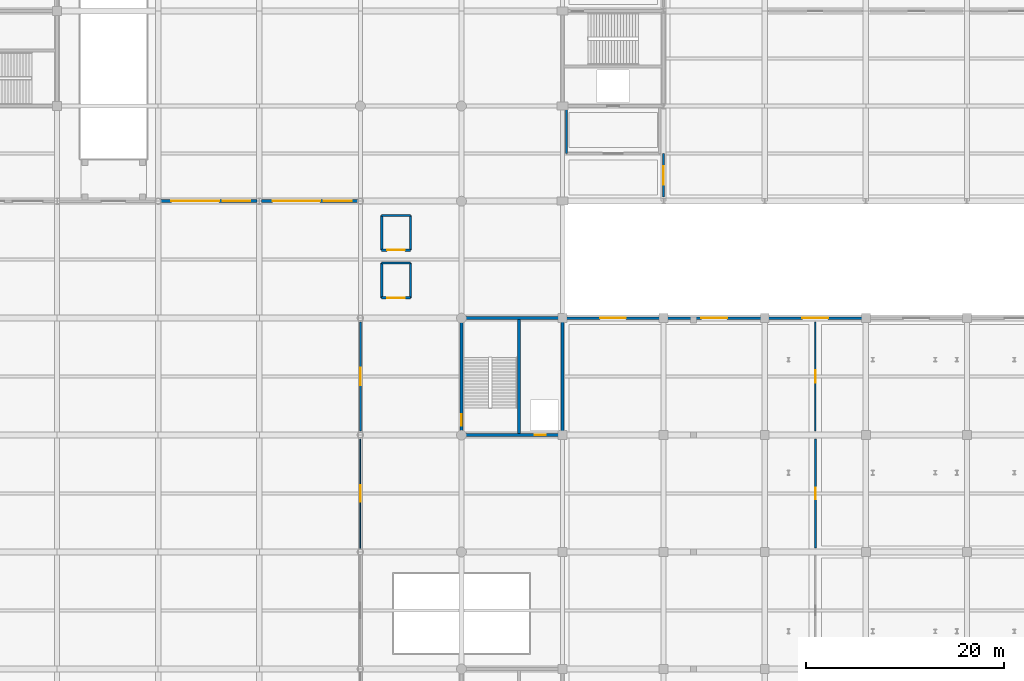
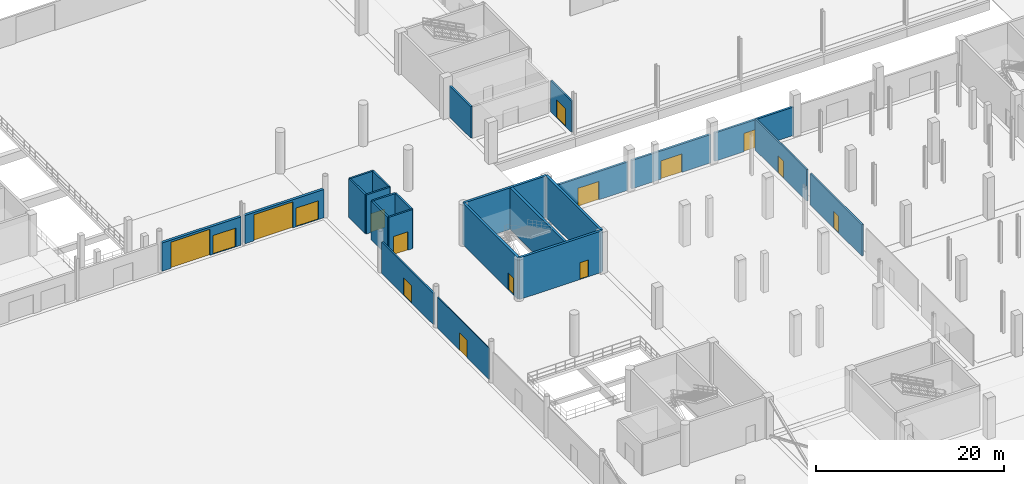
# One storey, part 94 of 124: 24 walls, 16 doors, 16 openings.
"""IFC4 building model written with IfcOpenShell, lengths in metres."""

from ifc_helpers import new_model, si_unit, direction, frame, frame_2d, origin, place, context, subcontext, project, spatial, rectangle, extrude, material, layer, layer_set, type_object, element, fill, save


model = new_model("IFC4")

# Units and contexts
model_context = context("Model", 3, precision=1e-05, world=origin(), true_north=direction((0.0, 1.0)))
body_context = subcontext(model_context, "Body", "Model", "MODEL_VIEW")
ifc_project = project(units=[si_unit("LENGTHUNIT", "METRE"), si_unit("AREAUNIT", "SQUARE_METRE"), si_unit("VOLUMEUNIT", "CUBIC_METRE"), si_unit("PLANEANGLEUNIT", "RADIAN"), si_unit("MASSUNIT", "GRAM", prefix="KILO")], contexts=[model_context])

# Site, building, storey
site_placement = place(None, origin())
site = spatial("IfcSite", under=ifc_project, at=site_placement, CompositionType="ELEMENT")
building_placement = place(site_placement, origin())
building = spatial("IfcBuilding", under=site, at=building_placement, Name="Brelvane Convention Centre", CompositionType="ELEMENT")
storey_placement = place(building_placement, origin())
storey = spatial("IfcBuildingStorey", under=building, at=storey_placement, Name="L00", CompositionType="ELEMENT", Elevation=0.0)

# Wall, opening, door
ifc_material_1 = material(Name="Insulated Autoclaved Aerated Concrete Block Grade 1", Category="concrete")
ifc_layer_1 = layer(ifc_material_1, 0.260009765625)
ifc_layer_set_1 = layer_set([ifc_layer_1], Name="Insulated Autoclaved Aerated Concrete Block Grade 1")
wall_type_1 = type_object("IfcWallType", Name="Exterior Wall EW-02", PredefinedType="STANDARD", material=ifc_layer_set_1)
wall_1_placement = place(storey_placement, frame((163.43994140625, 87.800048828125, 0.0), z_axis=(0.0, 0.0, 1.0), x_axis=(1.0, 0.0, 0.0)))
wall_1 = element("IfcWall", 1, at=wall_1_placement, inside=storey, type_object=wall_type_1, Name="Exterior Wall L00 V2N-L00-1", PredefinedType="STANDARD", context=body_context, shape_type="SweptSolid", body=[
    extrude(rectangle(XDim=9.719970703125, YDim=0.260009765625, at=frame_2d((4.85986328125, 0.0))), origin(), (0.0, 0.0, 1.0), 3.679931640625),
])
opening_1_placement = place(wall_1_placement, frame((3.56005859375, 0.0, 0.0)))
opening_1 = element("IfcOpeningElement", 2, at=opening_1_placement, cuts=wall_1, Name="Opening DR-EX-03", PredefinedType="OPENING", context=body_context, shape_type="SweptSolid", body=[
    extrude(rectangle(XDim=2.60009765625, YDim=2.39990234375, at=frame_2d((1.300048828125, 1.199951171875))), frame((0.0, 0.139892578125, 0.0), z_axis=(0.0, -1.0, 0.0), x_axis=(1.0, 0.0, 0.0)), (0.0, 0.0, 1.0), 0.280029296875),
])
ifc_material_2 = material(Name="Anodised Aluminium Alloy 6063-T6", Category="aluminium")
door_type_1 = type_object("IfcDoorType", Name="Exterior Door DR-EX-03", OperationType="NOTDEFINED", PredefinedType="DOOR", material=ifc_material_2)
door_1_placement = place(opening_1_placement, origin())
door_1 = element("IfcDoor", 3, at=door_1_placement, inside=storey, type_object=door_type_1, Name="Final Exit Door PLEN-N1 (DR-EX-03)", OperationType="DOUBLE_DOOR_SINGLE_SWING", OverallHeight=2.39990234375, OverallWidth=2.60009765625, PredefinedType="DOOR", context=body_context, shape_type="SweptSolid", body=[
    extrude(rectangle(XDim=2.60009765625, YDim=2.39990234375, at=frame_2d((1.300048828125, 1.199951171875))), frame((0.0, 0.02490234375, 0.0), z_axis=(0.0, -1.0, 0.0), x_axis=(1.0, 0.0, 0.0)), (0.0, 0.0, 1.0), 0.050048828125),
])
fill(opening_1, door_1)

wall_2_placement = place(storey_placement, frame((173.639892578125, 87.800048828125, 0.0), z_axis=(0.0, 0.0, 1.0), x_axis=(1.0, 0.0, 0.0)))
wall_2 = element("IfcWall", 4, at=wall_2_placement, inside=storey, type_object=wall_type_1, Name="Exterior Wall L00 V2N-L00-2", PredefinedType="STANDARD", context=body_context, shape_type="SweptSolid", body=[
    extrude(rectangle(XDim=9.72021484375, YDim=0.260009765625, at=frame_2d((4.860107421875, 0.0))), origin(), (0.0, 0.0, 1.0), 3.679931640625),
])
opening_2_placement = place(wall_2_placement, frame((3.56005859375, 0.0, 0.0)))
opening_2 = element("IfcOpeningElement", 5, at=opening_2_placement, cuts=wall_2, Name="Opening DR-EX-03", PredefinedType="OPENING", context=body_context, shape_type="SweptSolid", body=[
    extrude(rectangle(XDim=2.60009765625, YDim=2.39990234375, at=frame_2d((1.300048828125, 1.199951171875))), frame((0.0, 0.139892578125, 0.0), z_axis=(0.0, -1.0, 0.0), x_axis=(1.0, 0.0, 0.0)), (0.0, 0.0, 1.0), 0.280029296875),
])
door_2_placement = place(opening_2_placement, origin())
door_2 = element("IfcDoor", 6, at=door_2_placement, inside=storey, type_object=door_type_1, Name="Final Exit Door PLEN-N2 (DR-EX-03)", OperationType="DOUBLE_DOOR_SINGLE_SWING", OverallHeight=2.39990234375, OverallWidth=2.60009765625, PredefinedType="DOOR", context=body_context, shape_type="SweptSolid", body=[
    extrude(rectangle(XDim=2.60009765625, YDim=2.39990234375, at=frame_2d((1.300048828125, 1.199951171875))), frame((0.0, 0.02490234375, 0.0), z_axis=(0.0, -1.0, 0.0), x_axis=(1.0, 0.0, 0.0)), (0.0, 0.0, 1.0), 0.050048828125),
])
fill(opening_2, door_2)

wall_3_placement = place(storey_placement, frame((183.840087890625, 87.800048828125, 0.0), z_axis=(0.0, 0.0, 1.0), x_axis=(1.0, 0.0, 0.0)))
wall_3 = element("IfcWall", 7, at=wall_3_placement, inside=storey, type_object=wall_type_1, Name="Exterior Wall L00 V2N-L00-3", PredefinedType="STANDARD", context=body_context, shape_type="SweptSolid", body=[
    extrude(rectangle(XDim=9.719970703125, YDim=0.260009765625, at=frame_2d((4.85986328125, 0.0))), origin(), (0.0, 0.0, 1.0), 3.679931640625),
])
opening_3_placement = place(wall_3_placement, frame((3.56005859375, 0.0, 0.0)))
opening_3 = element("IfcOpeningElement", 8, at=opening_3_placement, cuts=wall_3, Name="Opening DR-EX-03", PredefinedType="OPENING", context=body_context, shape_type="SweptSolid", body=[
    extrude(rectangle(XDim=2.60009765625, YDim=2.39990234375, at=frame_2d((1.300048828125, 1.199951171875))), frame((0.0, 0.139892578125, 0.0), z_axis=(0.0, -1.0, 0.0), x_axis=(1.0, 0.0, 0.0)), (0.0, 0.0, 1.0), 0.280029296875),
])
door_3_placement = place(opening_3_placement, origin())
door_3 = element("IfcDoor", 9, at=door_3_placement, inside=storey, type_object=door_type_1, Name="Final Exit Door PLEN-N3 (DR-EX-03)", OperationType="DOUBLE_DOOR_SINGLE_SWING", OverallHeight=2.39990234375, OverallWidth=2.60009765625, PredefinedType="DOOR", context=body_context, shape_type="SweptSolid", body=[
    extrude(rectangle(XDim=2.60009765625, YDim=2.39990234375, at=frame_2d((1.300048828125, 1.199951171875))), frame((0.0, 0.02490234375, 0.0), z_axis=(0.0, -1.0, 0.0), x_axis=(1.0, 0.0, 0.0)), (0.0, 0.0, 1.0), 0.050048828125),
])
fill(opening_3, door_3)

# Wall, openings, doors
ifc_material_3 = material(Name="Concrete M40", Category="concrete")
ifc_layer_2 = layer(ifc_material_3, 0.320068359375)
ifc_layer_set_2 = layer_set([ifc_layer_2], Name="Concrete M40")
wall_type_2 = type_object("IfcWallType", Name="Exterior Wall EW-07", PredefinedType="SOLIDWALL", material=ifc_layer_set_2)
wall_4_placement = place(storey_placement, frame((122.639892578125, 99.60009765625, 0.0), z_axis=(0.0, 0.0, 1.0), x_axis=(1.0, 0.0, 0.0)))
wall_4 = element("IfcWall", 10, at=wall_4_placement, inside=storey, type_object=wall_type_2, Name="Exterior Wall L00 V1N-L00-13", PredefinedType="SOLIDWALL", context=body_context, shape_type="SweptSolid", body=[
    extrude(rectangle(XDim=9.72021484375, YDim=0.320068359375, at=frame_2d((4.860107421875, 0.0))), origin(), (0.0, 0.0, 1.0), 3.679931640625),
])
opening_4_placement = place(wall_4_placement, frame((1.09912109375, 0.0, 0.0)))
opening_4 = element("IfcOpeningElement", 11, at=opening_4_placement, cuts=wall_4, Name="Opening DR-VG-01", PredefinedType="OPENING", context=body_context, shape_type="SweptSolid", body=[
    extrude(rectangle(XDim=4.800048828125, YDim=3.39990234375, at=frame_2d((2.39990234375, 1.699951171875))), frame((0.0, 0.169921875, 0.0), z_axis=(0.0, -1.0, 0.0), x_axis=(1.0, 0.0, 0.0)), (0.0, 0.0, 1.0), 0.340087890625),
])
opening_5_placement = place(wall_4_placement, frame((6.27001953125, 0.0, 0.0)))
opening_5 = element("IfcOpeningElement", 12, at=opening_5_placement, cuts=wall_4, Name="Opening DR-EX-02", PredefinedType="OPENING", context=body_context, shape_type="SweptSolid", body=[
    extrude(rectangle(XDim=2.800048828125, YDim=2.449951171875, at=frame_2d((1.39990234375, 1.22509765625))), frame((0.0, 0.169921875, 0.0), z_axis=(0.0, -1.0, 0.0), x_axis=(1.0, 0.0, 0.0)), (0.0, 0.0, 1.0), 0.340087890625),
])
ifc_material_4 = material(Name="Anodised Aluminium Alloy 6063-T6", Category="aluminium")
door_type_2 = type_object("IfcDoorType", Name="Exterior Door DR-EX-02", OperationType="NOTDEFINED", PredefinedType="DOOR", material=ifc_material_4)
door_4_placement = place(opening_5_placement, origin())
door_4 = element("IfcDoor", 13, at=door_4_placement, inside=storey, type_object=door_type_2, Name="Final Exit Door EXH-N13 (DR-EX-02)", OperationType="DOUBLE_DOOR_SINGLE_SWING", OverallHeight=2.449951171875, OverallWidth=2.800048828125, PredefinedType="DOOR", context=body_context, shape_type="SweptSolid", body=[
    extrude(rectangle(XDim=2.800048828125, YDim=2.449951171875, at=frame_2d((1.39990234375, 1.22509765625))), frame((0.0, 0.02490234375, 0.0), z_axis=(0.0, -1.0, 0.0), x_axis=(1.0, 0.0, 0.0)), (0.0, 0.0, 1.0), 0.050048828125),
])
fill(opening_5, door_4)
ifc_material_5 = material(Name="Steel E350 (350 MPa)", Category="steel")
door_type_3 = type_object("IfcDoorType", Name="Exterior Gate DR-VG-01", OperationType="NOTDEFINED", PredefinedType="GATE", material=ifc_material_5)
door_5_placement = place(opening_4_placement, origin())
door_5 = element("IfcDoor", 14, at=door_5_placement, inside=storey, type_object=door_type_3, Name="Final Exit Door EXH-TRUCK-1 (DR-VG-01)", OperationType="ROLLINGUP", OverallHeight=3.39990234375, OverallWidth=4.800048828125, PredefinedType="GATE", context=body_context, shape_type="SweptSolid", body=[
    extrude(rectangle(XDim=4.800048828125, YDim=3.39990234375, at=frame_2d((2.39990234375, 1.699951171875))), frame((0.0, 0.02490234375, 0.0), z_axis=(0.0, -1.0, 0.0), x_axis=(1.0, 0.0, 0.0)), (0.0, 0.0, 1.0), 0.050048828125),
])
fill(opening_4, door_5)

wall_5_placement = place(storey_placement, frame((132.840087890625, 99.60009765625, 0.0), z_axis=(0.0, 0.0, 1.0), x_axis=(1.0, 0.0, 0.0)))
wall_5 = element("IfcWall", 15, at=wall_5_placement, inside=storey, type_object=wall_type_2, Name="Exterior Wall L00 V1N-L00-14", PredefinedType="SOLIDWALL", context=body_context, shape_type="SweptSolid", body=[
    extrude(rectangle(XDim=9.719970703125, YDim=0.320068359375, at=frame_2d((4.85986328125, 0.0))), origin(), (0.0, 0.0, 1.0), 3.679931640625),
])
opening_6_placement = place(wall_5_placement, frame((1.09912109375, 0.0, 0.0)))
opening_6 = element("IfcOpeningElement", 16, at=opening_6_placement, cuts=wall_5, Name="Opening DR-VG-01", PredefinedType="OPENING", context=body_context, shape_type="SweptSolid", body=[
    extrude(rectangle(XDim=4.800048828125, YDim=3.39990234375, at=frame_2d((2.39990234375, 1.699951171875))), frame((0.0, 0.169921875, 0.0), z_axis=(0.0, -1.0, 0.0), x_axis=(1.0, 0.0, 0.0)), (0.0, 0.0, 1.0), 0.340087890625),
])
opening_7_placement = place(wall_5_placement, frame((6.27001953125, 0.0, 0.0)))
opening_7 = element("IfcOpeningElement", 17, at=opening_7_placement, cuts=wall_5, Name="Opening DR-EX-02", PredefinedType="OPENING", context=body_context, shape_type="SweptSolid", body=[
    extrude(rectangle(XDim=2.800048828125, YDim=2.449951171875, at=frame_2d((1.39990234375, 1.22509765625))), frame((0.0, 0.169921875, 0.0), z_axis=(0.0, -1.0, 0.0), x_axis=(1.0, 0.0, 0.0)), (0.0, 0.0, 1.0), 0.340087890625),
])
door_6_placement = place(opening_7_placement, origin())
door_6 = element("IfcDoor", 18, at=door_6_placement, inside=storey, type_object=door_type_2, Name="Final Exit Door EXH-N14 (DR-EX-02)", OperationType="DOUBLE_DOOR_SINGLE_SWING", OverallHeight=2.449951171875, OverallWidth=2.800048828125, PredefinedType="DOOR", context=body_context, shape_type="SweptSolid", body=[
    extrude(rectangle(XDim=2.800048828125, YDim=2.449951171875, at=frame_2d((1.39990234375, 1.22509765625))), frame((0.0, 0.02490234375, 0.0), z_axis=(0.0, -1.0, 0.0), x_axis=(1.0, 0.0, 0.0)), (0.0, 0.0, 1.0), 0.050048828125),
])
fill(opening_7, door_6)
door_7_placement = place(opening_6_placement, origin())
door_7 = element("IfcDoor", 19, at=door_7_placement, inside=storey, type_object=door_type_3, Name="Final Exit Door EXH-TRUCK-2 (DR-VG-01)", OperationType="ROLLINGUP", OverallHeight=3.39990234375, OverallWidth=4.800048828125, PredefinedType="GATE", context=body_context, shape_type="SweptSolid", body=[
    extrude(rectangle(XDim=4.800048828125, YDim=3.39990234375, at=frame_2d((2.39990234375, 1.699951171875))), frame((0.0, 0.02490234375, 0.0), z_axis=(0.0, -1.0, 0.0), x_axis=(1.0, 0.0, 0.0)), (0.0, 0.0, 1.0), 0.050048828125),
])
fill(opening_6, door_7)

# Wall, opening, door
ifc_material_6 = material(Name="Fire-Rated Acoustic Gypsum Partition Board Grade A")
ifc_layer_3 = layer(ifc_material_6, 0.18505859375)
ifc_layer_set_3 = layer_set([ifc_layer_3], Name="Fire-Rated Acoustic Gypsum Partition Board Grade A")
wall_type_3 = type_object("IfcWallType", Name="Interior Wall IW-AC-185", PredefinedType="PARTITIONING", material=ifc_layer_set_3)
wall_6_placement = place(storey_placement, frame((173.39990234375, 100.0, 0.0), z_axis=(0.0, 0.0, 1.0), x_axis=(0.0, 1.0, 0.0)))
wall_6 = element("IfcWall", 20, at=wall_6_placement, inside=storey, type_object=wall_type_3, Name="Interior Partition L00-BALL-W1", PredefinedType="PARTITIONING", context=body_context, shape_type="SweptSolid", body=[
    extrude(rectangle(XDim=4.39990234375, YDim=0.18505859375, at=frame_2d((2.199951171875, 0.0))), origin(), (0.0, 0.0, 1.0), 4.080078125),
])
opening_8_placement = place(wall_6_placement, frame((1.27490234375, 0.0, 0.0)))
opening_8 = element("IfcOpeningElement", 21, at=opening_8_placement, cuts=wall_6, Name="Opening DR-IN-19", PredefinedType="OPENING", context=body_context, shape_type="SweptSolid", body=[
    extrude(rectangle(XDim=1.85009765625, YDim=2.320068359375, at=frame_2d((0.925048828125, 1.16015625))), frame((0.0, 0.1025390625, 0.0), z_axis=(0.0, -1.0, 0.0), x_axis=(1.0, 0.0, 0.0)), (0.0, 0.0, 1.0), 0.205078125),
])
ifc_material_7 = material(Name="Solid-Core Fire-Rated Hardwood Leaf Grade 1", Category="wood")
door_type_4 = type_object("IfcDoorType", Name="Interior Door DR-IN-19", OperationType="NOTDEFINED", PredefinedType="DOOR", material=ifc_material_7)
door_8_placement = place(opening_8_placement, origin())
door_8 = element("IfcDoor", 22, at=door_8_placement, inside=storey, type_object=door_type_4, Name="Interior Door L00-BALL-W1 (DR-IN-19)", OperationType="DOUBLE_DOOR_SINGLE_SWING", OverallHeight=2.320068359375, OverallWidth=1.85009765625, PredefinedType="DOOR", context=body_context, shape_type="SweptSolid", body=[
    extrude(rectangle(XDim=1.85009765625, YDim=2.320068359375, at=frame_2d((0.925048828125, 1.16015625))), frame((0.0, 0.02490234375, 0.0), z_axis=(0.0, -1.0, 0.0), x_axis=(1.0, 0.0, 0.0)), (0.0, 0.0, 1.0), 0.050048828125),
])
fill(opening_8, door_8)

wall_7_placement = place(storey_placement, frame((188.699951171875, 76.39990234375, 0.0), z_axis=(0.0, 0.0, 1.0), x_axis=(0.0, 1.0, 0.0)))
wall_7 = element("IfcWall", 23, at=wall_7_placement, inside=storey, type_object=wall_type_3, Name="Interior Partition L00-SPK-2", PredefinedType="PARTITIONING", context=body_context, shape_type="SweptSolid", body=[
    extrude(rectangle(XDim=11.0, YDim=0.18505859375, at=frame_2d((5.5, 0.0))), origin(), (0.0, 0.0, 1.0), 4.080078125),
])
opening_9_placement = place(wall_7_placement, frame((4.8798828125, 0.0, 0.0)))
opening_9 = element("IfcOpeningElement", 24, at=opening_9_placement, cuts=wall_7, Name="Opening DR-IN-04R", PredefinedType="OPENING", context=body_context, shape_type="SweptSolid", body=[
    extrude(rectangle(XDim=1.239990234375, YDim=2.199951171875, at=frame_2d((0.6201171875, 1.10009765625))), frame((0.0, 0.1025390625, 0.0), z_axis=(0.0, -1.0, 0.0), x_axis=(1.0, 0.0, 0.0)), (0.0, 0.0, 1.0), 0.205078125),
])
ifc_material_8 = material(Name="Galvanised Hollow-Metal Fire Door Steel E250", Category="steel")
door_type_5 = type_object("IfcDoorType", Name="Interior Door DR-IN-04R", OperationType="NOTDEFINED", PredefinedType="DOOR", material=ifc_material_8)
door_9_placement = place(opening_9_placement, origin())
door_9 = element("IfcDoor", 25, at=door_9_placement, inside=storey, type_object=door_type_5, Name="Interior Door L00-SPK-2 (DR-IN-04R)", OperationType="SINGLE_SWING_RIGHT", OverallHeight=2.199951171875, OverallWidth=1.239990234375, PredefinedType="DOOR", context=body_context, shape_type="SweptSolid", body=[
    extrude(rectangle(XDim=1.239990234375, YDim=2.199951171875, at=frame_2d((0.6201171875, 1.10009765625))), frame((0.0, 0.02490234375, 0.0), z_axis=(0.0, -1.0, 0.0), x_axis=(1.0, 0.0, 0.0)), (0.0, 0.0, 1.0), 0.050048828125),
])
fill(opening_9, door_9)

ifc_material_9 = material(Name="Fire-Rated Acoustic Gypsum Partition Board Grade A")
ifc_layer_4 = layer(ifc_material_9, 0.199951171875)
ifc_layer_set_4 = layer_set([ifc_layer_4], Name="Fire-Rated Acoustic Gypsum Partition Board Grade A")
wall_type_4 = type_object("IfcWallType", Name="Interior Wall IW-FR-200", PredefinedType="PARTITIONING", material=ifc_layer_set_4)
wall_8_placement = place(storey_placement, frame((142.800048828125, 76.39990234375, 0.0), z_axis=(0.0, 0.0, 1.0), x_axis=(0.0, 1.0, 0.0)))
wall_8 = element("IfcWall", 26, at=wall_8_placement, inside=storey, type_object=wall_type_4, Name="Interior Partition L00-EXH-E5", PredefinedType="PARTITIONING", context=body_context, shape_type="SweptSolid", body=[
    extrude(rectangle(XDim=11.0, YDim=0.199951171875, at=frame_2d((5.5, 0.0))), origin(), (0.0, 0.0, 1.0), 4.080078125),
])
opening_10_placement = place(wall_8_placement, frame((4.625, 0.0, 0.0)))
opening_10 = element("IfcOpeningElement", 27, at=opening_10_placement, cuts=wall_8, Name="Opening DR-IN-18", PredefinedType="OPENING", context=body_context, shape_type="SweptSolid", body=[
    extrude(rectangle(XDim=1.75, YDim=2.280029296875, at=frame_2d((0.875, 1.14013671875))), frame((0.0, 0.10986328125, 0.0), z_axis=(0.0, -1.0, 0.0), x_axis=(1.0, 0.0, 0.0)), (0.0, 0.0, 1.0), 0.219970703125),
])
ifc_material_10 = material(Name="Solid-Core Fire-Rated Hardwood Leaf Grade 1", Category="wood")
door_type_6 = type_object("IfcDoorType", Name="Interior Door DR-IN-18", OperationType="NOTDEFINED", PredefinedType="DOOR", material=ifc_material_10)
door_10_placement = place(opening_10_placement, origin())
door_10 = element("IfcDoor", 28, at=door_10_placement, inside=storey, type_object=door_type_6, Name="Interior Door L00-EXH-E5 (DR-IN-18)", OperationType="DOUBLE_DOOR_SINGLE_SWING", OverallHeight=2.280029296875, OverallWidth=1.75, PredefinedType="DOOR", context=body_context, shape_type="SweptSolid", body=[
    extrude(rectangle(XDim=1.75, YDim=2.280029296875, at=frame_2d((0.875, 1.14013671875))), frame((0.0, 0.02490234375, 0.0), z_axis=(0.0, -1.0, 0.0), x_axis=(1.0, 0.0, 0.0)), (0.0, 0.0, 1.0), 0.050048828125),
])
fill(opening_10, door_10)

wall_9_placement = place(storey_placement, frame((188.699951171875, 64.60009765625, 0.0), z_axis=(0.0, 0.0, 1.0), x_axis=(0.0, 1.0, 0.0)))
wall_9 = element("IfcWall", 29, at=wall_9_placement, inside=storey, type_object=wall_type_4, Name="Interior Partition L00-SPK-1", PredefinedType="PARTITIONING", context=body_context, shape_type="SweptSolid", body=[
    extrude(rectangle(XDim=11.0, YDim=0.199951171875, at=frame_2d((5.5, 0.0))), origin(), (0.0, 0.0, 1.0), 4.080078125),
])
opening_11_placement = place(wall_9_placement, frame((4.919921875, 0.0, 0.0)))
opening_11 = element("IfcOpeningElement", 30, at=opening_11_placement, cuts=wall_9, Name="Opening DR-IN-04L", PredefinedType="OPENING", context=body_context, shape_type="SweptSolid", body=[
    extrude(rectangle(XDim=1.159912109375, YDim=2.199951171875, at=frame_2d((0.580078125, 1.10009765625))), frame((0.0, 0.10986328125, 0.0), z_axis=(0.0, -1.0, 0.0), x_axis=(1.0, 0.0, 0.0)), (0.0, 0.0, 1.0), 0.219970703125),
])
ifc_material_11 = material(Name="Galvanised Hollow-Metal Fire Door Steel E250", Category="steel")
door_type_7 = type_object("IfcDoorType", Name="Interior Door DR-IN-04L", OperationType="NOTDEFINED", PredefinedType="DOOR", material=ifc_material_11)
door_11_placement = place(opening_11_placement, origin())
door_11 = element("IfcDoor", 31, at=door_11_placement, inside=storey, type_object=door_type_7, Name="Interior Door L00-SPK-1 (DR-IN-04L)", OperationType="SINGLE_SWING_LEFT", OverallHeight=2.199951171875, OverallWidth=1.159912109375, PredefinedType="DOOR", context=body_context, shape_type="SweptSolid", body=[
    extrude(rectangle(XDim=1.159912109375, YDim=2.199951171875, at=frame_2d((0.580078125, 1.10009765625))), frame((0.0, 0.02490234375, 0.0), z_axis=(0.0, -1.0, 0.0), x_axis=(1.0, 0.0, 0.0)), (0.0, 0.0, 1.0), 0.050048828125),
])
fill(opening_11, door_11)

ifc_material_12 = material(Name="Concrete M40", Category="concrete")
ifc_layer_5 = layer(ifc_material_12, 0.219970703125)
ifc_layer_set_5 = layer_set([ifc_layer_5], Name="Concrete M40")
wall_type_5 = type_object("IfcWallType", Name="Interior Wall IW-FR-220", PredefinedType="PARTITIONING", material=ifc_layer_set_5)
wall_10_placement = place(storey_placement, frame((144.949951171875, 89.85009765625, 0.0), z_axis=(0.0, 0.0, 1.0), x_axis=(1.0, 0.0, 0.0)))
wall_10 = element("IfcWall", 32, at=wall_10_placement, inside=storey, type_object=wall_type_5, Name="Lift LG-01 Shaft Wall S (L00)", PredefinedType="PARTITIONING", context=body_context, shape_type="SweptSolid", body=[
    extrude(rectangle(XDim=2.900146484375, YDim=0.219970703125, at=frame_2d((1.4501953125, 0.0))), origin(), (0.0, 0.0, 1.0), 5.080078125),
])
opening_12_placement = place(wall_10_placement, frame((0.550048828125, 0.0, 0.0)))
opening_12 = element("IfcOpeningElement", 33, at=opening_12_placement, cuts=wall_10, Name="Opening LD-04", PredefinedType="OPENING", context=body_context, shape_type="SweptSolid", body=[
    extrude(rectangle(XDim=1.800048828125, YDim=2.39990234375, at=frame_2d((0.89990234375, 1.199951171875))), frame((0.0, 0.119873046875, 0.0), z_axis=(0.0, -1.0, 0.0), x_axis=(1.0, 0.0, 0.0)), (0.0, 0.0, 1.0), 0.239990234375),
])
ifc_material_13 = material(Name="Galvanised Hollow-Metal Fire Door Steel E250", Category="steel")
door_type_8 = type_object("IfcDoorType", Name="Interior Door LD-04", OperationType="NOTDEFINED", PredefinedType="DOOR", material=ifc_material_13)
door_12_placement = place(opening_12_placement, origin())
door_12 = element("IfcDoor", 34, at=door_12_placement, inside=storey, type_object=door_type_8, Name="Lift LG-01 Landing Door (L00)", OperationType="DOUBLE_DOOR_SLIDING", OverallHeight=2.39990234375, OverallWidth=1.800048828125, PredefinedType="DOOR", context=body_context, shape_type="SweptSolid", body=[
    extrude(rectangle(XDim=1.800048828125, YDim=2.39990234375, at=frame_2d((0.89990234375, 1.199951171875))), frame((0.0, 0.02490234375, 0.0), z_axis=(0.0, -1.0, 0.0), x_axis=(1.0, 0.0, 0.0)), (0.0, 0.0, 1.0), 0.050048828125),
])
fill(opening_12, door_12)

# Walls
wall_11_placement = place(storey_placement, frame((144.949951171875, 93.35009765625, 0.0), z_axis=(0.0, 0.0, 1.0), x_axis=(1.0, 0.0, 0.0)))
element("IfcWall", 35, at=wall_11_placement, inside=storey, type_object=wall_type_5, Name="Lift LG-01 Shaft Wall N (L00)", PredefinedType="PARTITIONING", context=body_context, shape_type="SweptSolid", body=[
    extrude(rectangle(XDim=2.900146484375, YDim=0.219970703125, at=frame_2d((1.4501953125, 0.0))), origin(), (0.0, 0.0, 1.0), 5.080078125),
])
for number, where, z_axis, x_axis, name in (
    (36, (144.949951171875, 89.85009765625, 0.0), (0.0, 0.0, 1.0), (0.0, 1.0, 0.0), "Lift LG-01 Shaft Wall W (L00)"),
    (37, (147.85009765625, 89.85009765625, 0.0), (0.0, 0.0, 1.0), (0.0, 1.0, 0.0), "Lift LG-01 Shaft Wall E (L00)"),
):
    element("IfcWall", number, at=place(storey_placement, frame(where, z_axis=z_axis, x_axis=x_axis)), inside=storey, type_object=wall_type_5, Name=name, PredefinedType="PARTITIONING", context=body_context, shape_type="SweptSolid", body=[
        extrude(rectangle(XDim=3.5, YDim=0.219970703125, at=frame_2d((1.75, 0.0))), origin(), (0.0, 0.0, 1.0), 5.080078125),
    ])

# Wall, opening, door
wall_12_placement = place(storey_placement, frame((144.949951171875, 94.64990234375, 0.0), z_axis=(0.0, 0.0, 1.0), x_axis=(1.0, 0.0, 0.0)))
wall_12 = element("IfcWall", 38, at=wall_12_placement, inside=storey, type_object=wall_type_5, Name="Lift LG-02 Shaft Wall S (L00)", PredefinedType="PARTITIONING", context=body_context, shape_type="SweptSolid", body=[
    extrude(rectangle(XDim=2.900146484375, YDim=0.219970703125, at=frame_2d((1.4501953125, 0.0))), origin(), (0.0, 0.0, 1.0), 5.080078125),
])
opening_13_placement = place(wall_12_placement, frame((0.550048828125, 0.0, 0.0)))
opening_13 = element("IfcOpeningElement", 39, at=opening_13_placement, cuts=wall_12, Name="Opening LD-04", PredefinedType="OPENING", context=body_context, shape_type="SweptSolid", body=[
    extrude(rectangle(XDim=1.800048828125, YDim=2.39990234375, at=frame_2d((0.89990234375, 1.199951171875))), frame((0.0, 0.119873046875, 0.0), z_axis=(0.0, -1.0, 0.0), x_axis=(1.0, 0.0, 0.0)), (0.0, 0.0, 1.0), 0.239990234375),
])
door_13_placement = place(opening_13_placement, origin())
door_13 = element("IfcDoor", 40, at=door_13_placement, inside=storey, type_object=door_type_8, Name="Lift LG-02 Landing Door (L00)", OperationType="DOUBLE_DOOR_SLIDING", OverallHeight=2.39990234375, OverallWidth=1.800048828125, PredefinedType="DOOR", context=body_context, shape_type="SweptSolid", body=[
    extrude(rectangle(XDim=1.800048828125, YDim=2.39990234375, at=frame_2d((0.89990234375, 1.199951171875))), frame((0.0, 0.02490234375, 0.0), z_axis=(0.0, -1.0, 0.0), x_axis=(1.0, 0.0, 0.0)), (0.0, 0.0, 1.0), 0.050048828125),
])
fill(opening_13, door_13)

# Walls
wall_13_placement = place(storey_placement, frame((144.949951171875, 98.14990234375, 0.0), z_axis=(0.0, 0.0, 1.0), x_axis=(1.0, 0.0, 0.0)))
element("IfcWall", 41, at=wall_13_placement, inside=storey, type_object=wall_type_5, Name="Lift LG-02 Shaft Wall N (L00)", PredefinedType="PARTITIONING", context=body_context, shape_type="SweptSolid", body=[
    extrude(rectangle(XDim=2.900146484375, YDim=0.219970703125, at=frame_2d((1.4501953125, 0.0))), origin(), (0.0, 0.0, 1.0), 5.080078125),
])
for number, where, z_axis, x_axis, name in (
    (42, (144.949951171875, 94.64990234375, 0.0), (0.0, 0.0, 1.0), (0.0, 1.0, 0.0), "Lift LG-02 Shaft Wall W (L00)"),
    (43, (147.85009765625, 94.64990234375, 0.0), (0.0, 0.0, 1.0), (0.0, 1.0, 0.0), "Lift LG-02 Shaft Wall E (L00)"),
):
    element("IfcWall", number, at=place(storey_placement, frame(where, z_axis=z_axis, x_axis=x_axis)), inside=storey, type_object=wall_type_5, Name=name, PredefinedType="PARTITIONING", context=body_context, shape_type="SweptSolid", body=[
        extrude(rectangle(XDim=3.5, YDim=0.219970703125, at=frame_2d((1.75, 0.0))), origin(), (0.0, 0.0, 1.0), 5.080078125),
    ])
ifc_material_14 = material(Name="Concrete M40", Category="concrete")
ifc_layer_6 = layer(ifc_material_14, 0.239990234375)
ifc_layer_set_6 = layer_set([ifc_layer_6], Name="Concrete M40")
wall_type_6 = type_object("IfcWallType", Name="Interior Wall IW-FR-240", PredefinedType="PARTITIONING", material=ifc_layer_set_6)
wall_14_placement = place(storey_placement, frame((163.60009765625, 104.39990234375, 0.0), z_axis=(0.0, 0.0, 1.0), x_axis=(0.0, 1.0, 0.0)))
element("IfcWall", 44, at=wall_14_placement, inside=storey, type_object=wall_type_6, Name="Firefighting Lobby C5 Wall W (L00)", PredefinedType="PARTITIONING", context=body_context, shape_type="SweptSolid", body=[
    extrude(rectangle(XDim=4.60009765625, YDim=0.239990234375, at=frame_2d((2.300048828125, 0.0))), origin(), (0.0, 0.0, 1.0), 4.080078125),
])

# Wall, opening, door
ifc_material_15 = material(Name="Fire-Rated Acoustic Gypsum Partition Board Grade A")
ifc_layer_7 = layer(ifc_material_15, 0.10498046875)
ifc_layer_set_7 = layer_set([ifc_layer_7], Name="Fire-Rated Acoustic Gypsum Partition Board Grade A")
wall_type_7 = type_object("IfcWallType", Name="Interior Wall IW-PT-105", PredefinedType="PARTITIONING", material=ifc_layer_set_7)
wall_15_placement = place(storey_placement, frame((142.800048828125, 64.60009765625, 0.0), z_axis=(0.0, 0.0, 1.0), x_axis=(0.0, 1.0, 0.0)))
wall_15 = element("IfcWall", 45, at=wall_15_placement, inside=storey, type_object=wall_type_7, Name="Interior Partition L00-EXH-E4", PredefinedType="PARTITIONING", context=body_context, shape_type="SweptSolid", body=[
    extrude(rectangle(XDim=11.0, YDim=0.10498046875, at=frame_2d((5.5, 0.0))), origin(), (0.0, 0.0, 1.0), 4.080078125),
])
opening_14_placement = place(wall_15_placement, frame((4.675048828125, 0.0, 0.0)))
opening_14 = element("IfcOpeningElement", 46, at=opening_14_placement, cuts=wall_15, Name="Opening DR-IN-17", PredefinedType="OPENING", context=body_context, shape_type="SweptSolid", body=[
    extrude(rectangle(XDim=1.64990234375, YDim=2.260009765625, at=frame_2d((0.824951171875, 1.1298828125))), frame((0.0, 0.0625, 0.0), z_axis=(0.0, -1.0, 0.0), x_axis=(1.0, 0.0, 0.0)), (0.0, 0.0, 1.0), 0.125),
])
ifc_material_16 = material(Name="Solid-Core Fire-Rated Hardwood Leaf Grade 1", Category="wood")
door_type_9 = type_object("IfcDoorType", Name="Interior Door DR-IN-17", OperationType="NOTDEFINED", PredefinedType="DOOR", material=ifc_material_16)
door_14_placement = place(opening_14_placement, origin())
door_14 = element("IfcDoor", 47, at=door_14_placement, inside=storey, type_object=door_type_9, Name="Interior Door L00-EXH-E4 (DR-IN-17)", OperationType="DOUBLE_DOOR_SINGLE_SWING", OverallHeight=2.260009765625, OverallWidth=1.64990234375, PredefinedType="DOOR", context=body_context, shape_type="SweptSolid", body=[
    extrude(rectangle(XDim=1.64990234375, YDim=2.260009765625, at=frame_2d((0.824951171875, 1.1298828125))), frame((0.0, 0.02490234375, 0.0), z_axis=(0.0, -1.0, 0.0), x_axis=(1.0, 0.0, 0.0)), (0.0, 0.0, 1.0), 0.050048828125),
])
fill(opening_14, door_14)

ifc_material_17 = material(Name="Concrete M50", Category="concrete")
ifc_layer_8 = layer(ifc_material_17, 0.300048828125)
ifc_layer_set_8 = layer_set([ifc_layer_8], Name="Concrete M50")
wall_type_8 = type_object("IfcWallType", Name="Structural Wall WL-CORE-300", PredefinedType="SHEAR", material=ifc_layer_set_8)
wall_16_placement = place(storey_placement, frame((153.0, 76.0, 0.0), z_axis=(0.0, 0.0, 1.0), x_axis=(1.0, 0.0, 0.0)))
wall_16 = element("IfcWall", 48, at=wall_16_placement, inside=storey, type_object=wall_type_8, Name="Core C4 Shear Wall S (L00)", PredefinedType="SHEAR", context=body_context, shape_type="SweptSolid", body=[
    extrude(rectangle(XDim=10.199951171875, YDim=0.300048828125, at=frame_2d((5.10009765625, 0.0))), origin(), (0.0, 0.0, 1.0), 5.39990234375),
])
opening_15_placement = place(wall_16_placement, frame((7.39990234375, 0.0, 0.0)))
opening_15 = element("IfcOpeningElement", 49, at=opening_15_placement, cuts=wall_16, Name="Opening LD-02", PredefinedType="OPENING", context=body_context, shape_type="SweptSolid", body=[
    extrude(rectangle(XDim=1.10009765625, YDim=2.199951171875, at=frame_2d((0.550048828125, 1.10009765625))), frame((0.0, 0.159912109375, 0.0), z_axis=(0.0, -1.0, 0.0), x_axis=(1.0, 0.0, 0.0)), (0.0, 0.0, 1.0), 0.320068359375),
])
ifc_material_18 = material(Name="Galvanised Hollow-Metal Fire Door Steel E250", Category="steel")
door_type_10 = type_object("IfcDoorType", Name="Interior Door LD-02", OperationType="NOTDEFINED", PredefinedType="DOOR", material=ifc_material_18)
door_15_placement = place(opening_15_placement, origin())
door_15 = element("IfcDoor", 50, at=door_15_placement, inside=storey, type_object=door_type_10, Name="Lift LP-02 Landing Door (L00)", OperationType="SLIDING_TO_RIGHT", OverallHeight=2.199951171875, OverallWidth=1.10009765625, PredefinedType="DOOR", context=body_context, shape_type="SweptSolid", body=[
    extrude(rectangle(XDim=1.10009765625, YDim=2.199951171875, at=frame_2d((0.550048828125, 1.10009765625))), frame((0.0, 0.02490234375, 0.0), z_axis=(0.0, -1.0, 0.0), x_axis=(1.0, 0.0, 0.0)), (0.0, 0.0, 1.0), 0.050048828125),
])
fill(opening_15, door_15)

# Wall
wall_17_placement = place(storey_placement, frame((153.0, 87.800048828125, 0.0), z_axis=(0.0, 0.0, 1.0), x_axis=(1.0, 0.0, 0.0)))
element("IfcWall", 51, at=wall_17_placement, inside=storey, type_object=wall_type_8, Name="Core C4 Shear Wall N (L00)", PredefinedType="SHEAR", context=body_context, shape_type="SweptSolid", body=[
    extrude(rectangle(XDim=10.199951171875, YDim=0.300048828125, at=frame_2d((5.10009765625, 0.0))), origin(), (0.0, 0.0, 1.0), 5.39990234375),
])

# Wall, opening, door
wall_18_placement = place(storey_placement, frame((153.0, 76.0, 0.0), z_axis=(0.0, 0.0, 1.0), x_axis=(0.0, 1.0, 0.0)))
wall_18 = element("IfcWall", 52, at=wall_18_placement, inside=storey, type_object=wall_type_8, Name="Core C4 Shear Wall W (L00)", PredefinedType="SHEAR", context=body_context, shape_type="SweptSolid", body=[
    extrude(rectangle(XDim=11.800048828125, YDim=0.300048828125, at=frame_2d((5.89990234375, 0.0))), origin(), (0.0, 0.0, 1.0), 5.39990234375),
])
opening_16_placement = place(wall_18_placement, frame((0.919921875, 0.0, 0.0)))
opening_16 = element("IfcOpeningElement", 53, at=opening_16_placement, cuts=wall_18, Name="Opening DR-IN-04L", PredefinedType="OPENING", context=body_context, shape_type="SweptSolid", body=[
    extrude(rectangle(XDim=1.159912109375, YDim=2.199951171875, at=frame_2d((0.580078125, 1.10009765625))), frame((0.0, 0.159912109375, 0.0), z_axis=(0.0, -1.0, 0.0), x_axis=(1.0, 0.0, 0.0)), (0.0, 0.0, 1.0), 0.320068359375),
])
door_16_placement = place(opening_16_placement, origin())
door_16 = element("IfcDoor", 54, at=door_16_placement, inside=storey, type_object=door_type_7, Name="Stair ST-04 Door (L00)", OperationType="SINGLE_SWING_LEFT", OverallHeight=2.199951171875, OverallWidth=1.159912109375, PredefinedType="DOOR", context=body_context, shape_type="SweptSolid", body=[
    extrude(rectangle(XDim=1.159912109375, YDim=2.199951171875, at=frame_2d((0.580078125, 1.10009765625))), frame((0.0, 0.02490234375, 0.0), z_axis=(0.0, -1.0, 0.0), x_axis=(1.0, 0.0, 0.0)), (0.0, 0.0, 1.0), 0.050048828125),
])
fill(opening_16, door_16)

# Walls
wall_19_placement = place(storey_placement, frame((163.199951171875, 76.0, 0.0), z_axis=(0.0, 0.0, 1.0), x_axis=(0.0, 1.0, 0.0)))
element("IfcWall", 55, at=wall_19_placement, inside=storey, type_object=wall_type_8, Name="Core C4 Shear Wall E (L00)", PredefinedType="SHEAR", context=body_context, shape_type="SweptSolid", body=[
    extrude(rectangle(XDim=11.800048828125, YDim=0.300048828125, at=frame_2d((5.89990234375, 0.0))), origin(), (0.0, 0.0, 1.0), 5.39990234375),
])
wall_20_placement = place(storey_placement, frame((158.800048828125, 76.14990234375, 0.0), z_axis=(0.0, 0.0, 1.0), x_axis=(0.0, 1.0, 0.0)))
element("IfcWall", 56, at=wall_20_placement, inside=storey, type_object=wall_type_8, Name="Core C4 Shaft Divider Wall (L00)", PredefinedType="SHEAR", context=body_context, shape_type="SweptSolid", body=[
    extrude(rectangle(XDim=11.5, YDim=0.300048828125, at=frame_2d((5.75, 0.0))), origin(), (0.0, 0.0, 1.0), 5.39990234375),
])

save(model, "model.ifc")
